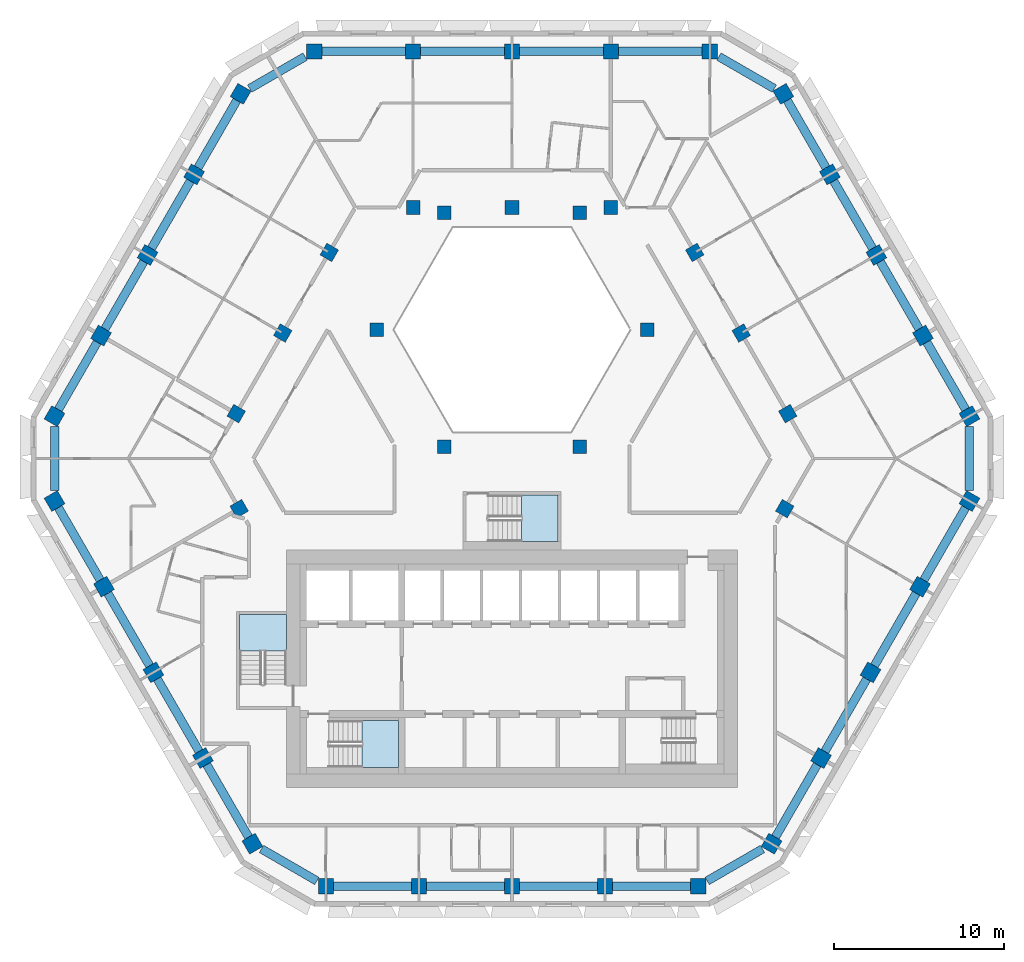
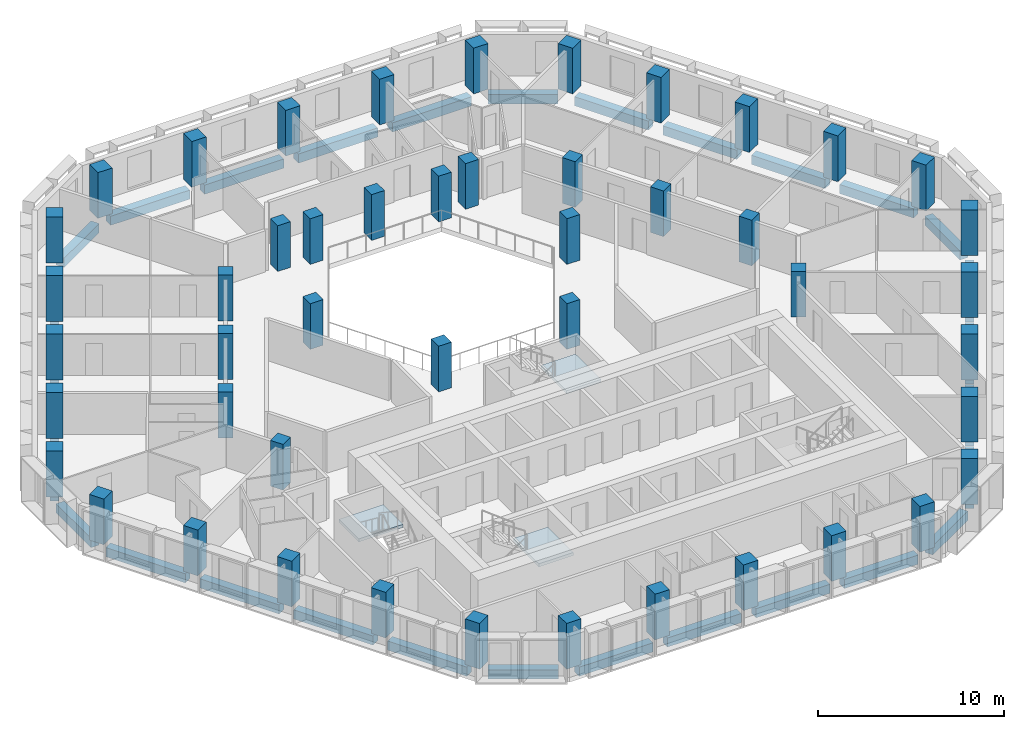
# One storey, part 1 of 15: 47 columns, 30 beams, 3 slabs, 3 elements without a shape of their own.
"""IFC4 building model written with IfcOpenShell, lengths in metres."""

from ifc_helpers import new_model, si_unit, direction, frame, origin, origin_2d, place, context, subcontext, project, spatial, polyline, rectangle, outline, extrude, material, layer, layer_set, material_profile, profile_set, type_object, element, aggregate, save


model = new_model("IFC4")

# Units and contexts
model_context = context("Model", 3, precision=1e-05, world=origin(), true_north=direction((0.0, 1.0)))
body_context = subcontext(model_context, "Body", "Model", "MODEL_VIEW")
ifc_project = project(units=[si_unit("LENGTHUNIT", "METRE"), si_unit("AREAUNIT", "SQUARE_METRE"), si_unit("VOLUMEUNIT", "CUBIC_METRE"), si_unit("PLANEANGLEUNIT", "RADIAN"), si_unit("MASSUNIT", "GRAM", prefix="KILO")], contexts=[model_context])

# Site, building, storey
site_placement = place(None, origin())
site = spatial("IfcSite", under=ifc_project, at=site_placement, CompositionType="ELEMENT")
building_placement = place(site_placement, origin())
building = spatial("IfcBuilding", under=site, at=building_placement, Name="Beryl Residences", CompositionType="ELEMENT")
storey_placement = place(building_placement, frame((0.0, 0.0, 129.60009765625)))
storey = spatial("IfcBuildingStorey", under=building, at=storey_placement, Name="L39", CompositionType="ELEMENT", Elevation=129.60009765625)

# Columns
ifc_material_1 = material(Name="Concrete C60/75", Category="concrete")
ifc_material_profile_1 = material_profile(ifc_material_1, rectangle(XDim=0.89990234375, YDim=0.89990234375, at=origin_2d()))
ifc_profile_set_1 = profile_set([ifc_material_profile_1], Name="Concrete C60/75")
column_type_1 = type_object("IfcColumnType", Name="C3 tube column 900 x 900 C60/75", PredefinedType="COLUMN", material=ifc_profile_set_1)
for number, where, z_axis, x_axis, name in (
    (1, (11.662109375, 24.39990234375, 0.0), (0.0, 0.0, 1.0), (-1.0, 0.0, 0.0), "C3-N1 L39"),
    (2, (5.8310546875, 24.39990234375, 0.0), (0.0, 0.0, 1.0), (-1.0, 0.0, 0.0), "C3-N2 L39"),
    (3, (0.0, 24.39990234375, 0.0), (0.0, 0.0, 1.0), (-1.0, 0.0, 0.0), "C3-N3 L39"),
    (4, (-5.8310546875, 24.39990234375, 0.0), (0.0, 0.0, 1.0), (-1.0, 0.0, 0.0), "C3-N4 L39"),
    (5, (-11.662109375, 24.39990234375, 0.0), (0.0, 0.0, 1.0), (-1.0, 0.0, 0.0), "C3-N5 L39"),
    (6, (-15.992919921875, 21.89990234375, 0.0), (0.0, 0.0, 1.0), (-0.5, -0.866025403784, 0.0), "C3-NW1 L39"),
    (7, (-18.735107421875, 17.14990234375, 0.0), (0.0, 0.0, 1.0), (-0.5, -0.866025403784, 0.0), "C3-NW2 L39"),
    (8, (-21.47802734375, 12.39990234375, 0.0), (0.0, 0.0, 1.0), (-0.5, -0.866025403784, 0.0), "C3-NW3 L39"),
    (9, (-24.219970703125, 7.64990234375, 0.0), (0.0, 0.0, 1.0), (-0.5, -0.866025403784, 0.0), "C3-NW4 L39"),
    (10, (-26.962890625, 2.89990234375, 0.0), (0.0, 0.0, 1.0), (-0.5, -0.866025403784, 0.0), "C3-NW5 L39"),
    (11, (-26.9619140625, -2.10009765625, 0.0), (0.0, 0.0, 1.0), (0.5, -0.866025403784, 0.0), "C3-SW1 L39"),
    (12, (-24.047119140625, -7.14892578125, 0.0), (0.0, 0.0, 1.0), (0.5, -0.866025403784, 0.0), "C3-SW2 L39"),
    (13, (-21.131103515625, -12.198974609375, 0.0), (0.0, 0.0, 1.0), (0.5, -0.866025403784, 0.0), "C3-SW3 L39"),
    (14, (-18.216064453125, -17.2490234375, 0.0), (0.0, 0.0, 1.0), (0.5, -0.866025403784, 0.0), "C3-SW4 L39"),
    (15, (-15.300048828125, -22.299072265625, 0.0), (0.0, 0.0, 1.0), (0.5, -0.866025403784, 0.0), "C3-SW5 L39"),
    (16, (-10.968994140625, -24.800048828125, 0.0), (0.0, 0.0, 1.0), (1.0, 0.0, 0.0), "C3-S1 L39"),
    (17, (-5.48388671875, -24.800048828125, 0.0), (0.0, 0.0, 1.0), (1.0, 0.0, 0.0), "C3-S2 L39"),
    (18, (0.0009765625, -24.800048828125, 0.0), (0.0, 0.0, 1.0), (1.0, 0.0, 0.0), "C3-S3 L39"),
    (19, (5.486083984375, -24.800048828125, 0.0), (0.0, 0.0, 1.0), (1.0, 0.0, 0.0), "C3-S4 L39"),
    (20, (10.970947265625, -24.800048828125, 0.0), (0.0, 0.0, 1.0), (1.0, 0.0, 0.0), "C3-S5 L39"),
    (21, (15.299072265625, -22.300048828125, 0.0), (0.0, 0.0, 1.0), (0.5, 0.866025403784, 0.0), "C3-SE1 L39"),
    (22, (18.215087890625, -17.2509765625, 0.0), (0.0, 0.0, 1.0), (0.5, 0.866025403784, 0.0), "C3-SE2 L39"),
    (23, (21.1298828125, -12.200927734375, 0.0), (0.0, 0.0, 1.0), (0.5, 0.866025403784, 0.0), "C3-SE3 L39"),
    (24, (24.0458984375, -7.15087890625, 0.0), (0.0, 0.0, 1.0), (0.5, 0.866025403784, 0.0), "C3-SE4 L39"),
    (25, (26.9609375, -2.10107421875, 0.0), (0.0, 0.0, 1.0), (0.5, 0.866025403784, 0.0), "C3-SE5 L39"),
    (26, (26.962890625, 2.89990234375, 0.0), (0.0, 0.0, 1.0), (-0.5, 0.866025403784, 0.0), "C3-NE1 L39"),
    (27, (24.219970703125, 7.64990234375, 0.0), (0.0, 0.0, 1.0), (-0.5, 0.866025403784, 0.0), "C3-NE2 L39"),
    (28, (21.47802734375, 12.39990234375, 0.0), (0.0, 0.0, 1.0), (-0.5, 0.866025403784, 0.0), "C3-NE3 L39"),
    (29, (18.735107421875, 17.14990234375, 0.0), (0.0, 0.0, 1.0), (-0.5, 0.866025403784, 0.0), "C3-NE4 L39"),
    (30, (15.992919921875, 21.89990234375, 0.0), (0.0, 0.0, 1.0), (-0.5, 0.866025403784, 0.0), "C3-NE5 L39"),
):
    element("IfcColumn", number, at=place(storey_placement, frame(where, z_axis=z_axis, x_axis=x_axis)), inside=storey, type_object=column_type_1, Name=name, PredefinedType="COLUMN", context=body_context, shape_type="SweptSolid", body=[
        extrude(rectangle(XDim=0.89990234375, YDim=0.89990234375, at=origin_2d()), origin(), (0.0, 0.0, 1.0), 3.0),
    ])
ifc_material_2 = material(Name="Concrete C60/75", Category="concrete")
ifc_material_profile_2 = material_profile(ifc_material_2, rectangle(XDim=0.800048828125, YDim=0.800048828125, at=origin_2d()))
ifc_profile_set_2 = profile_set([ifc_material_profile_2], Name="Concrete C60/75")
column_type_2 = type_object("IfcColumnType", Name="IC3 interior column 800 x 800 C60/75", PredefinedType="COLUMN", material=ifc_profile_set_2)
for number, where, z_axis, x_axis, name in (
    (31, (-16.0791015625, -2.549072265625, 0.0), (0.0, 0.0, 1.0), (0.5, -0.866025403784, 0.0), "IC3-M01 L39"),
    (32, (16.077880859375, -2.551025390625, 0.0), (0.0, 0.0, 1.0), (0.5, 0.866025403784, 0.0), "IC3-M02 L39"),
    (33, (16.2529296875, 3.050048828125, 0.0), (0.0, 0.0, 1.0), (-0.5, 0.866025403784, 0.0), "IC3-M03 L39"),
    (34, (3.98388671875, 1.10009765625, 0.0), (0.0, 0.0, 1.0), (1.0, 0.0, 0.0), "IC3-A04 L39"),
    (35, (13.510009765625, 7.800048828125, 0.0), (0.0, 0.0, 1.0), (-0.5, 0.866025403784, 0.0), "IC3-M05 L39"),
    (36, (7.967041015625, 8.0, 0.0), (0.0, 0.0, 1.0), (1.0, 0.0, 0.0), "IC3-A06 L39"),
    (37, (10.76806640625, 12.550048828125, 0.0), (0.0, 0.0, 1.0), (-0.5, 0.866025403784, 0.0), "IC3-M07 L39"),
    (38, (5.8310546875, 15.199951171875, 0.0), (0.0, 0.0, 1.0), (-1.0, 0.0, 0.0), "IC3-M08 L39"),
    (39, (3.98388671875, 14.89990234375, 0.0), (0.0, 0.0, 1.0), (1.0, 0.0, 0.0), "IC3-A09 L39"),
    (40, (0.0, 15.199951171875, 0.0), (0.0, 0.0, 1.0), (-1.0, 0.0, 0.0), "IC3-M10 L39"),
    (41, (-3.98388671875, 14.89990234375, 0.0), (0.0, 0.0, 1.0), (1.0, 0.0, 0.0), "IC3-A11 L39"),
    (42, (-5.8310546875, 15.199951171875, 0.0), (0.0, 0.0, 1.0), (-1.0, 0.0, 0.0), "IC3-M12 L39"),
    (43, (-10.76806640625, 12.550048828125, 0.0), (0.0, 0.0, 1.0), (-0.5, -0.866025403784, 0.0), "IC3-M13 L39"),
    (44, (-7.967041015625, 8.0, 0.0), (0.0, 0.0, 1.0), (1.0, 0.0, 0.0), "IC3-A14 L39"),
    (45, (-13.510009765625, 7.800048828125, 0.0), (0.0, 0.0, 1.0), (-0.5, -0.866025403784, 0.0), "IC3-M15 L39"),
    (46, (-3.98388671875, 1.10009765625, 0.0), (0.0, 0.0, 1.0), (1.0, 0.0, 0.0), "IC3-A16 L39"),
    (47, (-16.2529296875, 3.050048828125, 0.0), (0.0, 0.0, 1.0), (-0.5, -0.866025403784, 0.0), "IC3-M17 L39"),
):
    element("IfcColumn", number, at=place(storey_placement, frame(where, z_axis=z_axis, x_axis=x_axis)), inside=storey, type_object=column_type_2, Name=name, PredefinedType="COLUMN", context=body_context, shape_type="SweptSolid", body=[
        extrude(rectangle(XDim=0.800048828125, YDim=0.800048828125, at=origin_2d()), origin(), (0.0, 0.0, 1.0), 3.0),
    ])

# Beams
ifc_material_3 = material(Name="Concrete C60/75", Category="concrete")
ifc_material_profile_3 = material_profile(ifc_material_3, rectangle(XDim=0.5, YDim=0.60009765625, at=origin_2d()))
ifc_profile_set_3 = profile_set([ifc_material_profile_3], Name="Concrete C60/75")
beam_type = type_object("IfcBeamType", Name="SB3 spandrel beam 500 x 600 C60/75", PredefinedType="SPANDREL", material=ifc_profile_set_3)
beam_1_placement = place(storey_placement, frame((11.2119140625, 24.39990234375, -0.60009765625), z_axis=(-1.0, 0.0, 0.0), x_axis=(0.0, -1.0, 0.0)))
element("IfcBeam", 48, at=beam_1_placement, inside=storey, type_object=beam_type, Name="SB3 L39 N-0", PredefinedType="SPANDREL", context=body_context, shape_type="SweptSolid", body=[
    extrude(rectangle(XDim=0.5, YDim=0.60009765625, at=origin_2d()), origin(), (0.0, 0.0, 1.0), 4.930908203125),
])
for number, where, z_axis, x_axis, name in (
    (49, (5.381103515625, 24.39990234375, -0.60009765625), (-1.0, 0.0, 0.0), (0.0, -1.0, 0.0), "SB3 L39 N-1"),
    (50, (-0.449951171875, 24.39990234375, -0.60009765625), (-1.0, 0.0, 0.0), (0.0, -1.0, 0.0), "SB3 L39 N-2"),
):
    element("IfcBeam", number, at=place(storey_placement, frame(where, z_axis=z_axis, x_axis=x_axis)), inside=storey, type_object=beam_type, Name=name, PredefinedType="SPANDREL", context=body_context, shape_type="SweptSolid", body=[
        extrude(rectangle(XDim=0.5, YDim=0.60009765625, at=origin_2d()), origin(), (0.0, 0.0, 1.0), 4.93115234375),
    ])
beam_2_placement = place(storey_placement, frame((-6.281005859375, 24.39990234375, -0.60009765625), z_axis=(-1.0, 0.0, 0.0), x_axis=(0.0, -1.0, 0.0)))
element("IfcBeam", 51, at=beam_2_placement, inside=storey, type_object=beam_type, Name="SB3 L39 N-3", PredefinedType="SPANDREL", context=body_context, shape_type="SweptSolid", body=[
    extrude(rectangle(XDim=0.5, YDim=0.60009765625, at=origin_2d()), origin(), (0.0, 0.0, 1.0), 4.930908203125),
])
beam_3_placement = place(storey_placement, frame((-12.194091796875, 24.093017578125, -0.60009765625), z_axis=(-0.866040087317, -0.499974566514, 0.0), x_axis=(0.499974566514, -0.866040087317, 0.0)))
element("IfcBeam", 52, at=beam_3_placement, inside=storey, type_object=beam_type, Name="SB3 L39 N-4", PredefinedType="SPANDREL", context=body_context, shape_type="SweptSolid", body=[
    extrude(rectangle(XDim=0.5, YDim=0.60009765625, at=origin_2d()), origin(), (0.0, 0.0, 1.0), 3.772216796875),
])
beam_4_placement = place(storey_placement, frame((-16.218017578125, 21.510009765625, -0.60009765625), z_axis=(-0.49998830735, -0.866032154434, 0.0), x_axis=(0.866032154434, -0.49998830735, 0.0)))
element("IfcBeam", 53, at=beam_4_placement, inside=storey, type_object=beam_type, Name="SB3 L39 NW-0", PredefinedType="SPANDREL", context=body_context, shape_type="SweptSolid", body=[
    extrude(rectangle(XDim=0.5, YDim=0.60009765625, at=origin_2d()), origin(), (0.0, 0.0, 1.0), 4.583984375),
])
beam_5_placement = place(storey_placement, frame((-18.9599609375, 16.760009765625, -0.60009765625), z_axis=(-0.500148059018, -0.865939904993, 0.0), x_axis=(0.865939904993, -0.500148059018, 0.0)))
element("IfcBeam", 54, at=beam_5_placement, inside=storey, type_object=beam_type, Name="SB3 L39 NW-1", PredefinedType="SPANDREL", context=body_context, shape_type="SweptSolid", body=[
    extrude(rectangle(XDim=0.5, YDim=0.60009765625, at=origin_2d()), origin(), (0.0, 0.0, 1.0), 4.58447265625),
])
beam_6_placement = place(storey_placement, frame((-21.702880859375, 12.010009765625, -0.60009765625), z_axis=(-0.500028250054, -0.866009092994, 0.0), x_axis=(0.866009092994, -0.500028250054, 0.0)))
element("IfcBeam", 55, at=beam_6_placement, inside=storey, type_object=beam_type, Name="SB3 L39 NW-2", PredefinedType="SPANDREL", context=body_context, shape_type="SweptSolid", body=[
    extrude(rectangle(XDim=0.5, YDim=0.60009765625, at=origin_2d()), origin(), (0.0, 0.0, 1.0), 4.584228515625),
])
beam_7_placement = place(storey_placement, frame((-24.445068359375, 7.260009765625, -0.60009765625), z_axis=(-0.500148059018, -0.865939904993, 0.0), x_axis=(0.865939904993, -0.500148059018, 0.0)))
element("IfcBeam", 56, at=beam_7_placement, inside=storey, type_object=beam_type, Name="SB3 L39 NW-3", PredefinedType="SPANDREL", context=body_context, shape_type="SweptSolid", body=[
    extrude(rectangle(XDim=0.5, YDim=0.60009765625, at=origin_2d()), origin(), (0.0, 0.0, 1.0), 4.58447265625),
])
beam_8_placement = place(storey_placement, frame((-26.962890625, 2.285888671875, -0.60009765625), z_axis=(0.000258899668, -0.999999966485, 0.0), x_axis=(0.999999966485, 0.000258899668, 0.0)))
element("IfcBeam", 57, at=beam_8_placement, inside=storey, type_object=beam_type, Name="SB3 L39 NW-4", PredefinedType="SPANDREL", context=body_context, shape_type="SweptSolid", body=[
    extrude(rectangle(XDim=0.5, YDim=0.60009765625, at=origin_2d()), origin(), (0.0, 0.0, 1.0), 3.77197265625),
])
beam_9_placement = place(storey_placement, frame((-26.737060546875, -2.489990234375, -0.60009765625), z_axis=(0.50005397607, -0.865994238443, 0.0), x_axis=(0.865994238443, 0.50005397607, 0.0)))
element("IfcBeam", 58, at=beam_9_placement, inside=storey, type_object=beam_type, Name="SB3 L39 SW-0", PredefinedType="SPANDREL", context=body_context, shape_type="SweptSolid", body=[
    extrude(rectangle(XDim=0.5, YDim=0.60009765625, at=origin_2d()), origin(), (0.0, 0.0, 1.0), 4.9296875),
])
beam_10_placement = place(storey_placement, frame((-23.822021484375, -7.5390625, -0.60009765625), z_axis=(0.500116736097, -0.865957995677, 0.0), x_axis=(0.865957995677, 0.500116736097, 0.0)))
element("IfcBeam", 59, at=beam_10_placement, inside=storey, type_object=beam_type, Name="SB3 L39 SW-1", PredefinedType="SPANDREL", context=body_context, shape_type="SweptSolid", body=[
    extrude(rectangle(XDim=0.5, YDim=0.60009765625, at=origin_2d()), origin(), (0.0, 0.0, 1.0), 4.930908203125),
])
beam_11_placement = place(storey_placement, frame((-20.906005859375, -12.589111328125, -0.60009765625), z_axis=(0.499989643469, -0.866031383048, 0.0), x_axis=(0.866031383048, 0.499989643469, 0.0)))
element("IfcBeam", 60, at=beam_11_placement, inside=storey, type_object=beam_type, Name="SB3 L39 SW-2", PredefinedType="SPANDREL", context=body_context, shape_type="SweptSolid", body=[
    extrude(rectangle(XDim=0.5, YDim=0.60009765625, at=origin_2d()), origin(), (0.0, 0.0, 1.0), 4.93017578125),
])
beam_12_placement = place(storey_placement, frame((-17.990966796875, -17.638916015625, -0.60009765625), z_axis=(0.500116736097, -0.865957995677, 0.0), x_axis=(0.865957995677, 0.500116736097, 0.0)))
element("IfcBeam", 61, at=beam_12_placement, inside=storey, type_object=beam_type, Name="SB3 L39 SW-3", PredefinedType="SPANDREL", context=body_context, shape_type="SweptSolid", body=[
    extrude(rectangle(XDim=0.5, YDim=0.60009765625, at=origin_2d()), origin(), (0.0, 0.0, 1.0), 4.930908203125),
])
beam_13_placement = place(storey_placement, frame((-14.76806640625, -22.60595703125, -0.60009765625), z_axis=(0.865944170592, -0.500140673629, 0.0), x_axis=(0.500140673629, 0.865944170592, 0.0)))
element("IfcBeam", 62, at=beam_13_placement, inside=storey, type_object=beam_type, Name="SB3 L39 SW-4", PredefinedType="SPANDREL", context=body_context, shape_type="SweptSolid", body=[
    extrude(rectangle(XDim=0.5, YDim=0.60009765625, at=origin_2d()), origin(), (0.0, 0.0, 1.0), 3.77294921875),
])
for number, where, z_axis, x_axis, name in (
    (63, (-10.51904296875, -24.800048828125, -0.60009765625), (1.0, 0.0, 0.0), (0.0, 1.0, 0.0), "SB3 L39 S-0"),
    (64, (-5.033935546875, -24.800048828125, -0.60009765625), (1.0, 0.0, 0.0), (0.0, 1.0, 0.0), "SB3 L39 S-1"),
    (65, (0.450927734375, -24.800048828125, -0.60009765625), (1.0, 0.0, 0.0), (0.0, 1.0, 0.0), "SB3 L39 S-2"),
    (66, (5.93603515625, -24.800048828125, -0.60009765625), (1.0, 0.0, 0.0), (0.0, 1.0, 0.0), "SB3 L39 S-3"),
):
    element("IfcBeam", number, at=place(storey_placement, frame(where, z_axis=z_axis, x_axis=x_axis)), inside=storey, type_object=beam_type, Name=name, PredefinedType="SPANDREL", context=body_context, shape_type="SweptSolid", body=[
        extrude(rectangle(XDim=0.5, YDim=0.60009765625, at=origin_2d()), origin(), (0.0, 0.0, 1.0), 4.5849609375),
    ])
beam_14_placement = place(storey_placement, frame((11.5029296875, -24.492919921875, -0.60009765625), z_axis=(0.865861956233, 0.500282992663, 0.0), x_axis=(-0.500282992663, 0.865861956233, 0.0)))
element("IfcBeam", 67, at=beam_14_placement, inside=storey, type_object=beam_type, Name="SB3 L39 S-4", PredefinedType="SPANDREL", context=body_context, shape_type="SweptSolid", body=[
    extrude(rectangle(XDim=0.5, YDim=0.60009765625, at=origin_2d()), origin(), (0.0, 0.0, 1.0), 3.769775390625),
])
beam_15_placement = place(storey_placement, frame((15.52392578125, -21.909912109375, -0.60009765625), z_axis=(0.500223967704, 0.86589605735, 0.0), x_axis=(-0.86589605735, 0.500223967704, 0.0)))
element("IfcBeam", 68, at=beam_15_placement, inside=storey, type_object=beam_type, Name="SB3 L39 SE-0", PredefinedType="SPANDREL", context=body_context, shape_type="SweptSolid", body=[
    extrude(rectangle(XDim=0.5, YDim=0.60009765625, at=origin_2d()), origin(), (0.0, 0.0, 1.0), 4.929931640625),
])
beam_16_placement = place(storey_placement, frame((18.43994140625, -16.861083984375, -0.60009765625), z_axis=(0.499968202334, 0.866043761397, 0.0), x_axis=(-0.866043761397, 0.499968202334, 0.0)))
element("IfcBeam", 69, at=beam_16_placement, inside=storey, type_object=beam_type, Name="SB3 L39 SE-1", PredefinedType="SPANDREL", context=body_context, shape_type="SweptSolid", body=[
    extrude(rectangle(XDim=0.5, YDim=0.60009765625, at=origin_2d()), origin(), (0.0, 0.0, 1.0), 4.930419921875),
])
beam_17_placement = place(storey_placement, frame((21.35498046875, -11.81103515625, -0.60009765625), z_axis=(0.500116736097, 0.865957995677, 0.0), x_axis=(-0.865957995677, 0.500116736097, 0.0)))
element("IfcBeam", 70, at=beam_17_placement, inside=storey, type_object=beam_type, Name="SB3 L39 SE-2", PredefinedType="SPANDREL", context=body_context, shape_type="SweptSolid", body=[
    extrude(rectangle(XDim=0.5, YDim=0.60009765625, at=origin_2d()), origin(), (0.0, 0.0, 1.0), 4.930908203125),
])
beam_18_placement = place(storey_placement, frame((24.27099609375, -6.760986328125, -0.60009765625), z_axis=(0.499968202334, 0.866043761397, 0.0), x_axis=(-0.866043761397, 0.499968202334, 0.0)))
element("IfcBeam", 71, at=beam_18_placement, inside=storey, type_object=beam_type, Name="SB3 L39 SE-3", PredefinedType="SPANDREL", context=body_context, shape_type="SweptSolid", body=[
    extrude(rectangle(XDim=0.5, YDim=0.60009765625, at=origin_2d()), origin(), (0.0, 0.0, 1.0), 4.930419921875),
])
beam_19_placement = place(storey_placement, frame((26.9609375, -1.487060546875, -0.60009765625), z_axis=(0.00051766526, 0.999999866011, 0.0), x_axis=(-0.999999866011, 0.00051766526, 0.0)))
element("IfcBeam", 72, at=beam_19_placement, inside=storey, type_object=beam_type, Name="SB3 L39 SE-4", PredefinedType="SPANDREL", context=body_context, shape_type="SweptSolid", body=[
    extrude(rectangle(XDim=0.5, YDim=0.60009765625, at=origin_2d()), origin(), (0.0, 0.0, 1.0), 3.77294921875),
])
beam_20_placement = place(storey_placement, frame((26.738037109375, 3.2900390625, -0.60009765625), z_axis=(-0.500148059018, 0.865939904993, 0.0), x_axis=(-0.865939904993, -0.500148059018, 0.0)))
element("IfcBeam", 73, at=beam_20_placement, inside=storey, type_object=beam_type, Name="SB3 L39 NE-0", PredefinedType="SPANDREL", context=body_context, shape_type="SweptSolid", body=[
    extrude(rectangle(XDim=0.5, YDim=0.60009765625, at=origin_2d()), origin(), (0.0, 0.0, 1.0), 4.58447265625),
])
beam_21_placement = place(storey_placement, frame((23.9951171875, 8.0400390625, -0.60009765625), z_axis=(-0.500028250054, 0.866009092994, 0.0), x_axis=(-0.866009092994, -0.500028250054, 0.0)))
element("IfcBeam", 74, at=beam_21_placement, inside=storey, type_object=beam_type, Name="SB3 L39 NE-1", PredefinedType="SPANDREL", context=body_context, shape_type="SweptSolid", body=[
    extrude(rectangle(XDim=0.5, YDim=0.60009765625, at=origin_2d()), origin(), (0.0, 0.0, 1.0), 4.584228515625),
])
beam_22_placement = place(storey_placement, frame((21.2529296875, 12.7900390625, -0.60009765625), z_axis=(-0.500148059018, 0.865939904993, 0.0), x_axis=(-0.865939904993, -0.500148059018, 0.0)))
element("IfcBeam", 75, at=beam_22_placement, inside=storey, type_object=beam_type, Name="SB3 L39 NE-2", PredefinedType="SPANDREL", context=body_context, shape_type="SweptSolid", body=[
    extrude(rectangle(XDim=0.5, YDim=0.60009765625, at=origin_2d()), origin(), (0.0, 0.0, 1.0), 4.58447265625),
])
beam_23_placement = place(storey_placement, frame((18.510009765625, 17.5400390625, -0.60009765625), z_axis=(-0.49998830735, 0.866032154434, 0.0), x_axis=(-0.866032154434, -0.49998830735, 0.0)))
element("IfcBeam", 76, at=beam_23_placement, inside=storey, type_object=beam_type, Name="SB3 L39 NE-3", PredefinedType="SPANDREL", context=body_context, shape_type="SweptSolid", body=[
    extrude(rectangle(XDim=0.5, YDim=0.60009765625, at=origin_2d()), origin(), (0.0, 0.0, 1.0), 4.583984375),
])
beam_24_placement = place(storey_placement, frame((15.4609375, 22.20703125, -0.60009765625), z_axis=(-0.866040087317, 0.499974566514, 0.0), x_axis=(-0.499974566514, -0.866040087317, 0.0)))
element("IfcBeam", 77, at=beam_24_placement, inside=storey, type_object=beam_type, Name="SB3 L39 NE-4", PredefinedType="SPANDREL", context=body_context, shape_type="SweptSolid", body=[
    extrude(rectangle(XDim=0.5, YDim=0.60009765625, at=origin_2d()), origin(), (0.0, 0.0, 1.0), 3.772216796875),
])

# Stair, slab
ifc_material_4 = material(Name="Concrete C40/50", Category="concrete")
stair_type = type_object("IfcStairType", Name="ST1 protected exit stair, half-turn, 1300 mm flights", PredefinedType="HALF_TURN_STAIR", material=ifc_material_4)
stair_1_placement = place(storey_placement, origin())
stair_1 = element("IfcStair", 78, at=stair_1_placement, inside=storey, type_object=stair_type, Name="L39 PROTECTED EXIT STAIR ST-1", PredefinedType="HALF_TURN_STAIR")
ifc_material_5 = material(Name="Concrete C40/50", Category="concrete")
ifc_layer = layer(ifc_material_5, 0.199951171875)
ifc_layer_set = layer_set([ifc_layer], Name="SLD1 stair landing 200 mm")
slab_type = type_object("IfcSlabType", Name="SLD1 stair landing 200 mm", PredefinedType="LANDING", material=ifc_layer_set)
slab_1_placement = place(storey_placement, frame((0.0, 0.0, 1.2998046875)))
slab_1 = element("IfcSlab", 79, at=slab_1_placement, type_object=slab_type, Name="ST-1 landing 1", PredefinedType="LANDING", context=body_context, shape_type="SweptSolid", body=[
    extrude(outline(polyline([(-8.840087890625, -17.800048828125), (-6.699951171875, -17.800048828125), (-6.699951171875, -15.050048828125), (-8.840087890625, -15.050048828125), (-8.840087890625, -17.800048828125)])), origin(), (0.0, 0.0, 1.0), 0.2001953125),
])
aggregate(stair_1, [slab_1])

stair_2_placement = place(storey_placement, origin())
stair_2 = element("IfcStair", 80, at=stair_2_placement, inside=storey, type_object=stair_type, Name="L39 PROTECTED EXIT STAIR ST-2", PredefinedType="HALF_TURN_STAIR")
slab_2_placement = place(storey_placement, frame((0.0, 0.0, 1.2998046875)))
slab_2 = element("IfcSlab", 81, at=slab_2_placement, type_object=slab_type, Name="ST-2 landing 1", PredefinedType="LANDING", context=body_context, shape_type="SweptSolid", body=[
    extrude(outline(polyline([(-13.300048828125, -10.93994140625), (-13.300048828125, -8.800048828125), (-16.050048828125, -8.800048828125), (-16.050048828125, -10.93994140625), (-13.300048828125, -10.93994140625)])), origin(), (0.0, 0.0, 1.0), 0.2001953125),
])
aggregate(stair_2, [slab_2])

stair_3_placement = place(storey_placement, origin())
stair_3 = element("IfcStair", 82, at=stair_3_placement, inside=storey, type_object=stair_type, Name="L39 PROTECTED EXIT STAIR ST-4", PredefinedType="HALF_TURN_STAIR")
slab_3_placement = place(storey_placement, frame((0.0, 0.0, 1.2998046875)))
slab_3 = element("IfcSlab", 83, at=slab_3_placement, type_object=slab_type, Name="ST-4 landing 1", PredefinedType="LANDING", context=body_context, shape_type="SweptSolid", body=[
    extrude(outline(polyline([(0.56005859375, -4.5), (2.699951171875, -4.5), (2.699951171875, -1.75), (0.56005859375, -1.75), (0.56005859375, -4.5)])), origin(), (0.0, 0.0, 1.0), 0.2001953125),
])
aggregate(stair_3, [slab_3])

save(model, "model.ifc")
